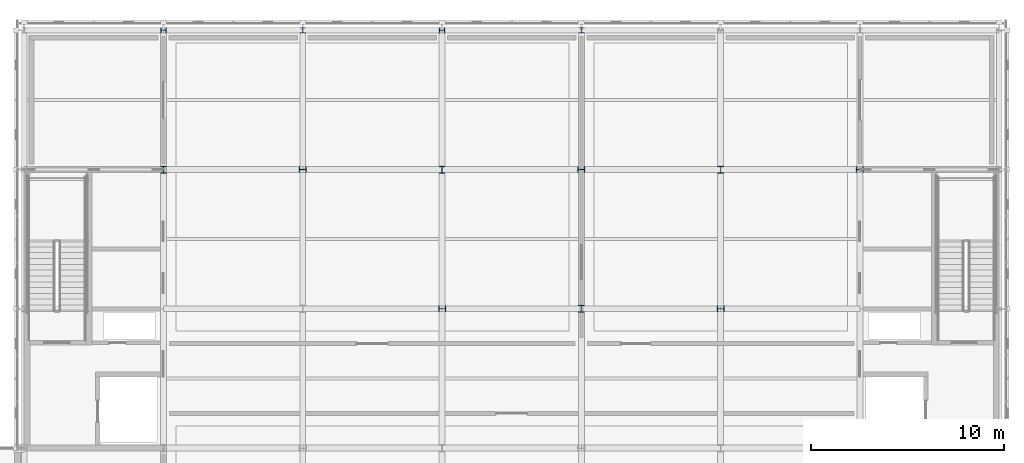
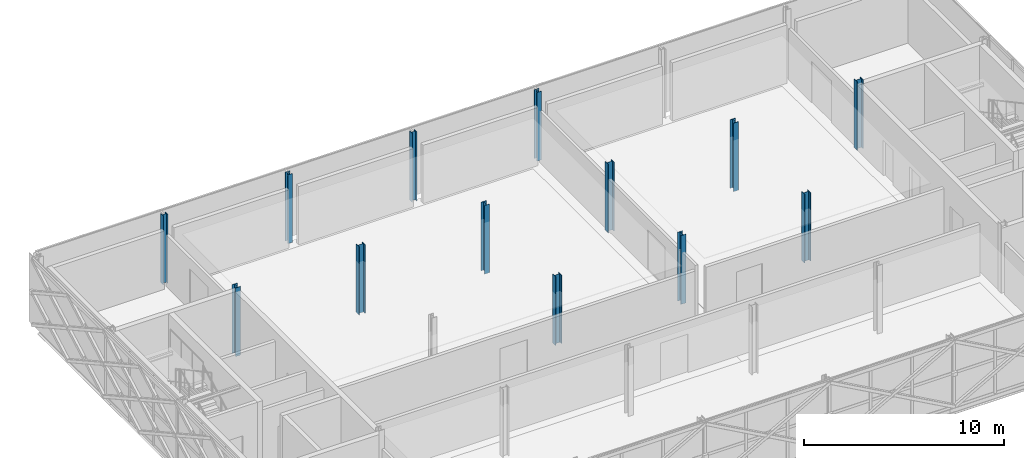
# One storey, part 11 of 103: 13 columns.
"""IFC4 building model written with IfcOpenShell, lengths in metres."""

from ifc_helpers import new_model, si_unit, direction, frame, origin, origin_2d, place, context, subcontext, project, spatial, i_section, extrude, material, material_profile, profile_set, type_object, element, save


model = new_model("IFC4")

# Units and contexts
model_context = context("Model", 3, precision=1e-05, world=origin(), true_north=direction((0.0, 1.0)))
body_context = subcontext(model_context, "Body", "Model", "MODEL_VIEW")
ifc_project = project(units=[si_unit("LENGTHUNIT", "METRE"), si_unit("AREAUNIT", "SQUARE_METRE"), si_unit("VOLUMEUNIT", "CUBIC_METRE"), si_unit("PLANEANGLEUNIT", "RADIAN"), si_unit("MASSUNIT", "GRAM", prefix="KILO")], contexts=[model_context])

# Site, building, storey
site_placement = place(None, origin())
site = spatial("IfcSite", under=ifc_project, at=site_placement, CompositionType="ELEMENT")
building_placement = place(site_placement, origin())
building = spatial("IfcBuilding", under=site, at=building_placement, Name="Zlatovets Crest Museum", CompositionType="ELEMENT")
storey_placement = place(building_placement, frame((0.0, 0.0, 12.89990234375)))
storey = spatial("IfcBuildingStorey", under=building, at=storey_placement, Name="L03", CompositionType="ELEMENT", Elevation=12.89990234375)

# Columns
ifc_material = material(Name="Structural steel S355J2", Category="steel")
ifc_material_profile_1 = material_profile(ifc_material, i_section(OverallWidth=0.300048828125, OverallDepth=0.360107421875, WebThickness=0.012451171875, FlangeThickness=0.0224609375, FilletRadius=0.027099609375, at=origin_2d()), Name="HEB 360")
ifc_profile_set_1 = profile_set([ifc_material_profile_1], Name="Structural steel S355J2")
column_type_1 = type_object("IfcColumnType", Name="Col_C-08", PredefinedType="COLUMN", material=ifc_profile_set_1)
for number, where, z_axis, x_axis, name in (
    (1, (64.800048828125, 108.0, 0.0), (0.0, 0.0, 1.0), (1.0, 0.0, 0.0), "V1 L03 Column (64.8, 108.0)"),
    (2, (72.0, 108.0, 0.0), (0.0, 0.0, 1.0), (0.0, 1.0, 0.0), "V1 L03 Column (72.0, 108.0)"),
    (3, (79.199951171875, 100.800048828125, 0.0), (0.0, 0.0, 1.0), (0.0, 1.0, 0.0), "V1 L03 Column (79.2, 100.8)"),
    (4, (79.199951171875, 108.0, 0.0), (0.0, 0.0, 1.0), (1.0, 0.0, 0.0), "V1 L03 Column (79.2, 108.0)"),
    (5, (86.39990234375, 100.800048828125, 0.0), (0.0, 0.0, 1.0), (1.0, 0.0, 0.0), "V1 L03 Column (86.4, 100.8)"),
    (6, (86.39990234375, 108.0, 0.0), (0.0, 0.0, 1.0), (0.0, 1.0, 0.0), "V1 L03 Column (86.4, 108.0)"),
    (7, (93.60009765625, 100.800048828125, 0.0), (0.0, 0.0, 1.0), (0.0, 1.0, 0.0), "V1 L03 Column (93.6, 100.8)"),
    (8, (93.60009765625, 108.0, 0.0), (0.0, 0.0, 1.0), (1.0, 0.0, 0.0), "V1 L03 Column (93.6, 108.0)"),
    (9, (100.800048828125, 108.0, 0.0), (0.0, 0.0, 1.0), (0.0, 1.0, 0.0), "V1 L03 Column (100.8, 108.0)"),
):
    element("IfcColumn", number, at=place(storey_placement, frame(where, z_axis=z_axis, x_axis=x_axis)), inside=storey, type_object=column_type_1, Name=name, PredefinedType="COLUMN", context=body_context, shape_type="SweptSolid", body=[
        extrude(i_section(OverallWidth=0.300048828125, OverallDepth=0.360107421875, WebThickness=0.012451171875, FlangeThickness=0.0224609375, FilletRadius=0.027099609375, at=origin_2d()), origin(), (0.0, 0.0, 1.0), 4.2001953125),
    ])
ifc_material_profile_2 = material_profile(ifc_material, i_section(OverallWidth=0.280029296875, OverallDepth=0.280029296875, WebThickness=0.010498046875, FlangeThickness=0.01806640625, FilletRadius=0.02392578125, at=origin_2d()), Name="HEB 280")
ifc_profile_set_2 = profile_set([ifc_material_profile_2], Name="Structural steel S355J2")
column_type_2 = type_object("IfcColumnType", Name="Col_C-17", PredefinedType="COLUMN", material=ifc_profile_set_2)
for number, where, z_axis, x_axis, name in (
    (10, (64.800048828125, 115.199951171875, 0.0), (0.0, 0.0, 1.0), (0.0, 1.0, 0.0), "V1 L03 Column (64.8, 115.2)"),
    (11, (72.0, 115.199951171875, 0.0), (0.0, 0.0, 1.0), (1.0, 0.0, 0.0), "V1 L03 Column (72.0, 115.2)"),
    (12, (79.199951171875, 115.199951171875, 0.0), (0.0, 0.0, 1.0), (0.0, 1.0, 0.0), "V1 L03 Column (79.2, 115.2)"),
    (13, (86.39990234375, 115.199951171875, 0.0), (0.0, 0.0, 1.0), (1.0, 0.0, 0.0), "V1 L03 Column (86.4, 115.2)"),
):
    element("IfcColumn", number, at=place(storey_placement, frame(where, z_axis=z_axis, x_axis=x_axis)), inside=storey, type_object=column_type_2, Name=name, PredefinedType="COLUMN", context=body_context, shape_type="SweptSolid", body=[
        extrude(i_section(OverallWidth=0.280029296875, OverallDepth=0.280029296875, WebThickness=0.010498046875, FlangeThickness=0.01806640625, FilletRadius=0.02392578125, at=origin_2d()), origin(), (0.0, 0.0, 1.0), 4.2001953125),
    ])

save(model, "model.ifc")
